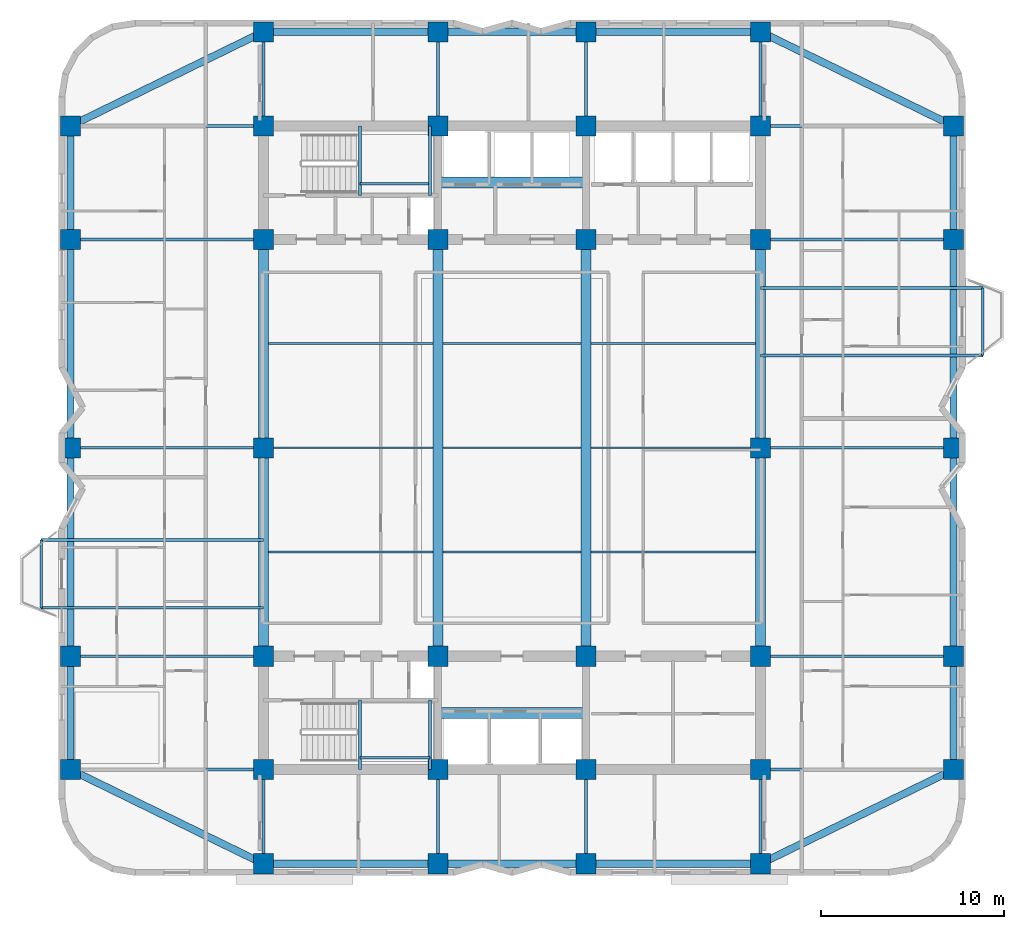
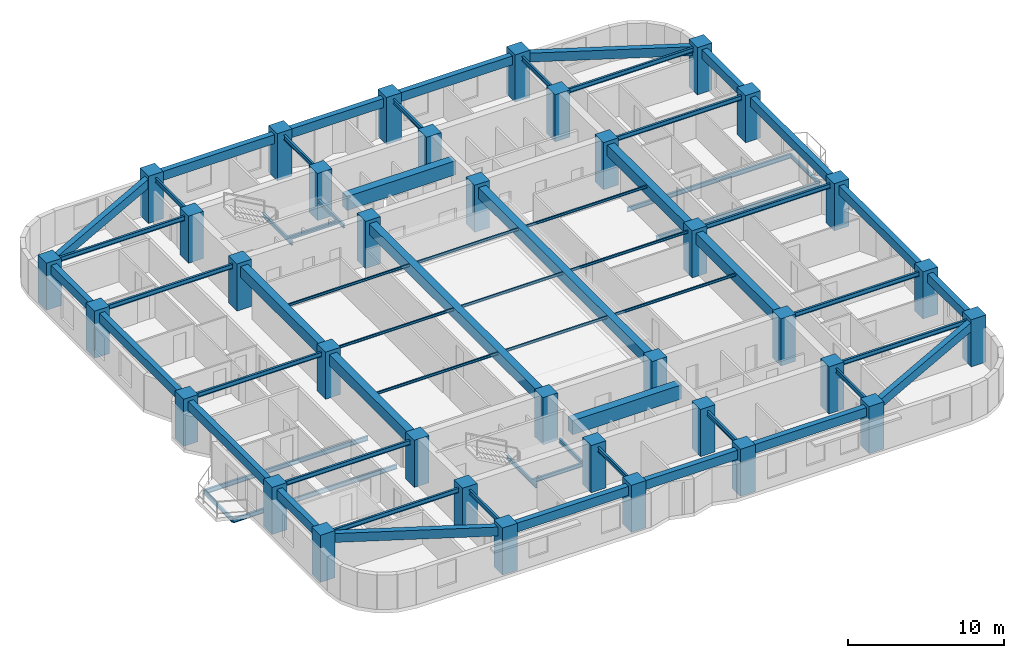
# One storey, part 1 of 10: 65 beams, 36 columns.
"""IFC4 building model written with IfcOpenShell, lengths in metres."""

from ifc_helpers import new_model, si_unit, direction, frame, origin, origin_2d, place, context, subcontext, project, spatial, rectangle, i_section, extrude, material, material_profile, profile_set, type_object, element, save


model = new_model("IFC4")

# Units and contexts
model_context = context("Model", 3, precision=1e-05, world=origin(), true_north=direction((0.0, 1.0)))
body_context = subcontext(model_context, "Body", "Model", "MODEL_VIEW")
ifc_project = project(units=[si_unit("LENGTHUNIT", "METRE"), si_unit("AREAUNIT", "SQUARE_METRE"), si_unit("VOLUMEUNIT", "CUBIC_METRE"), si_unit("PLANEANGLEUNIT", "RADIAN"), si_unit("MASSUNIT", "GRAM", prefix="KILO")], contexts=[model_context])

# Site, building, storey
site_placement = place(None, origin())
site = spatial("IfcSite", under=ifc_project, at=site_placement, CompositionType="ELEMENT")
building_placement = place(site_placement, origin())
building = spatial("IfcBuilding", under=site, at=building_placement, Name="Svetorya Sky Lyceum", CompositionType="ELEMENT")
storey_placement = place(building_placement, frame((0.0, 0.0, 129.0)))
storey = spatial("IfcBuildingStorey", under=building, at=storey_placement, Name="L32", CompositionType="ELEMENT", Elevation=129.0)

# Columns
ifc_material_1 = material(Name="Concrete C50/60", Category="concrete")
ifc_material_profile_1 = material_profile(ifc_material_1, rectangle(XDim=1.10009765625, YDim=1.10009765625, at=origin_2d()), Name="RC COL 1100x1100")
ifc_profile_set_1 = profile_set([ifc_material_profile_1], Name="Concrete C50/60")
column_type = type_object("IfcColumnType", Name="COL-RC-1100", PredefinedType="COLUMN", material=ifc_profile_set_1)
for number, where, z_axis, x_axis, name in (
    (1, (25.60009765625, 10.60009765625, 0.0), (0.0, 0.0, 1.0), (1.0, 0.0, 0.0), "L32 Core Column CS-11"),
    (2, (25.60009765625, 16.800048828125, 0.0), (0.0, 0.0, 1.0), (1.0, 0.0, 0.0), "L32 Core Column CS-12"),
    (3, (35.14990234375, 10.60009765625, 0.0), (0.0, 0.0, 1.0), (1.0, 0.0, 0.0), "L32 Core Column CS-21"),
    (4, (35.14990234375, 16.800048828125, 0.0), (0.0, 0.0, 1.0), (1.0, 0.0, 0.0), "L32 Core Column CS-22"),
    (5, (43.25, 10.60009765625, 0.0), (0.0, 0.0, 1.0), (1.0, 0.0, 0.0), "L32 Core Column CS-31"),
    (6, (43.25, 16.800048828125, 0.0), (0.0, 0.0, 1.0), (1.0, 0.0, 0.0), "L32 Core Column CS-32"),
    (7, (52.800048828125, 10.60009765625, 0.0), (0.0, 0.0, 1.0), (1.0, 0.0, 0.0), "L32 Core Column CS-41"),
    (8, (52.800048828125, 16.800048828125, 0.0), (0.0, 0.0, 1.0), (1.0, 0.0, 0.0), "L32 Core Column CS-42"),
    (9, (25.60009765625, 39.60009765625, 0.0), (0.0, 0.0, 1.0), (1.0, 0.0, 0.0), "L32 Core Column CN-11"),
    (10, (25.60009765625, 45.800048828125, 0.0), (0.0, 0.0, 1.0), (1.0, 0.0, 0.0), "L32 Core Column CN-12"),
    (11, (35.14990234375, 39.60009765625, 0.0), (0.0, 0.0, 1.0), (1.0, 0.0, 0.0), "L32 Core Column CN-21"),
    (12, (35.14990234375, 45.800048828125, 0.0), (0.0, 0.0, 1.0), (1.0, 0.0, 0.0), "L32 Core Column CN-22"),
    (13, (43.25, 39.60009765625, 0.0), (0.0, 0.0, 1.0), (1.0, 0.0, 0.0), "L32 Core Column CN-31"),
    (14, (43.25, 45.800048828125, 0.0), (0.0, 0.0, 1.0), (1.0, 0.0, 0.0), "L32 Core Column CN-32"),
    (15, (52.800048828125, 39.60009765625, 0.0), (0.0, 0.0, 1.0), (1.0, 0.0, 0.0), "L32 Core Column CN-41"),
    (16, (52.800048828125, 45.800048828125, 0.0), (0.0, 0.0, 1.0), (1.0, 0.0, 0.0), "L32 Core Column CN-42"),
    (17, (25.60009765625, 28.199951171875, 0.0), (0.0, 0.0, 1.0), (1.0, 0.0, 0.0), "L32 Core Column CM-W"),
    (18, (52.800048828125, 28.199951171875, 0.0), (0.0, 0.0, 1.0), (1.0, 0.0, 0.0), "L32 Core Column CM-E"),
    (19, (25.60009765625, 5.449951171875, 0.0), (0.0, 0.0, 1.0), (1.0, 0.0, 0.0), "L32 Perimeter Column S1"),
    (20, (25.60009765625, 50.949951171875, 0.0), (0.0, 0.0, 1.0), (1.0, 0.0, 0.0), "L32 Perimeter Column N1"),
    (21, (35.14990234375, 5.449951171875, 0.0), (0.0, 0.0, 1.0), (1.0, 0.0, 0.0), "L32 Perimeter Column S2"),
    (22, (35.14990234375, 50.949951171875, 0.0), (0.0, 0.0, 1.0), (1.0, 0.0, 0.0), "L32 Perimeter Column N2"),
    (23, (43.25, 5.449951171875, 0.0), (0.0, 0.0, 1.0), (1.0, 0.0, 0.0), "L32 Perimeter Column S3"),
    (24, (43.25, 50.949951171875, 0.0), (0.0, 0.0, 1.0), (1.0, 0.0, 0.0), "L32 Perimeter Column N3"),
    (25, (52.800048828125, 5.449951171875, 0.0), (0.0, 0.0, 1.0), (1.0, 0.0, 0.0), "L32 Perimeter Column S4"),
    (26, (52.800048828125, 50.949951171875, 0.0), (0.0, 0.0, 1.0), (1.0, 0.0, 0.0), "L32 Perimeter Column N4"),
    (27, (15.050048828125, 10.60009765625, 0.0), (0.0, 0.0, 1.0), (1.0, 0.0, 0.0), "L32 Perimeter Column W1"),
    (28, (63.35009765625, 10.60009765625, 0.0), (0.0, 0.0, 1.0), (1.0, 0.0, 0.0), "L32 Perimeter Column E1"),
    (29, (15.050048828125, 16.800048828125, 0.0), (0.0, 0.0, 1.0), (1.0, 0.0, 0.0), "L32 Perimeter Column W2"),
    (30, (63.35009765625, 16.800048828125, 0.0), (0.0, 0.0, 1.0), (1.0, 0.0, 0.0), "L32 Perimeter Column E2"),
    (31, (15.050048828125, 28.199951171875, 0.0), (0.0, 0.0, 1.0), (1.0, 0.0, 0.0), "L32 Perimeter Column W3"),
    (32, (63.35009765625, 28.199951171875, 0.0), (0.0, 0.0, 1.0), (1.0, 0.0, 0.0), "L32 Perimeter Column E3"),
    (33, (15.050048828125, 39.60009765625, 0.0), (0.0, 0.0, 1.0), (1.0, 0.0, 0.0), "L32 Perimeter Column W4"),
    (34, (63.35009765625, 39.60009765625, 0.0), (0.0, 0.0, 1.0), (1.0, 0.0, 0.0), "L32 Perimeter Column E4"),
    (35, (15.050048828125, 45.800048828125, 0.0), (0.0, 0.0, 1.0), (1.0, 0.0, 0.0), "L32 Perimeter Column W5"),
    (36, (63.35009765625, 45.800048828125, 0.0), (0.0, 0.0, 1.0), (1.0, 0.0, 0.0), "L32 Perimeter Column E5"),
):
    element("IfcColumn", number, at=place(storey_placement, frame(where, z_axis=z_axis, x_axis=x_axis)), inside=storey, type_object=column_type, Name=name, PredefinedType="COLUMN", context=body_context, shape_type="SweptSolid", body=[
        extrude(rectangle(XDim=1.10009765625, YDim=1.10009765625, at=origin_2d()), origin(), (0.0, 0.0, 1.0), 3.699951171875),
    ])

# Beams
ifc_material_2 = material(Name="Concrete C60/75", Category="concrete")
ifc_material_profile_2 = material_profile(ifc_material_2, rectangle(XDim=0.60009765625, YDim=1.10009765625, at=origin_2d()), Name="RC COUPLING 600x1100")
ifc_profile_set_2 = profile_set([ifc_material_profile_2], Name="Concrete C60/75")
beam_type_1 = type_object("IfcBeamType", Name="BM-CPL-1100", PredefinedType="LINTEL", material=ifc_profile_set_2)
for number, where, z_axis, x_axis, name in (
    (37, (35.14990234375, 13.699951171875, 2.8701171875), (1.0, 0.0, 0.0), (0.0, 1.0, 0.0), "L32 SC Core Coupling Beam"),
    (38, (35.14990234375, 42.699951171875, 2.8701171875), (1.0, 0.0, 0.0), (0.0, 1.0, 0.0), "L32 NC Core Coupling Beam"),
):
    element("IfcBeam", number, at=place(storey_placement, frame(where, z_axis=z_axis, x_axis=x_axis)), inside=storey, type_object=beam_type_1, Name=name, PredefinedType="LINTEL", context=body_context, shape_type="SweptSolid", body=[
        extrude(rectangle(XDim=0.60009765625, YDim=1.10009765625, at=origin_2d()), origin(), (0.0, 0.0, 1.0), 8.10009765625),
    ])
ifc_material_profile_3 = material_profile(ifc_material_1, rectangle(XDim=0.550048828125, YDim=0.85009765625, at=origin_2d()), Name="RC BEAM 550x850")
ifc_profile_set_3 = profile_set([ifc_material_profile_3], Name="Concrete C50/60")
beam_type_2 = type_object("IfcBeamType", Name="BM-RC-850", PredefinedType="BEAM", material=ifc_profile_set_3)
beam_1_placement = place(storey_placement, frame((25.60009765625, 16.800048828125, 2.9951171875), z_axis=(0.0, 1.0, 0.0), x_axis=(-1.0, 0.0, 0.0)))
element("IfcBeam", 39, at=beam_1_placement, inside=storey, type_object=beam_type_2, Name="L32 Central Bay Primary Girder CG-1A", PredefinedType="BEAM", context=body_context, shape_type="SweptSolid", body=[
    extrude(rectangle(XDim=0.550048828125, YDim=0.85009765625, at=origin_2d()), origin(), (0.0, 0.0, 1.0), 11.39990234375),
])
beam_2_placement = place(storey_placement, frame((25.60009765625, 28.199951171875, 2.9951171875), z_axis=(0.0, 1.0, 0.0), x_axis=(-1.0, 0.0, 0.0)))
element("IfcBeam", 40, at=beam_2_placement, inside=storey, type_object=beam_type_2, Name="L32 Central Bay Primary Girder CG-1B", PredefinedType="BEAM", context=body_context, shape_type="SweptSolid", body=[
    extrude(rectangle(XDim=0.550048828125, YDim=0.85009765625, at=origin_2d()), origin(), (0.0, 0.0, 1.0), 11.400146484375),
])
for number, where, z_axis, x_axis, name in (
    (41, (35.14990234375, 16.800048828125, 2.9951171875), (0.0, 1.0, 0.0), (-1.0, 0.0, 0.0), "L32 Central Bay Primary Girder CG-2"),
    (42, (43.25, 16.800048828125, 2.9951171875), (0.0, 1.0, 0.0), (-1.0, 0.0, 0.0), "L32 Central Bay Primary Girder CG-3"),
):
    element("IfcBeam", number, at=place(storey_placement, frame(where, z_axis=z_axis, x_axis=x_axis)), inside=storey, type_object=beam_type_2, Name=name, PredefinedType="BEAM", context=body_context, shape_type="SweptSolid", body=[
        extrude(rectangle(XDim=0.550048828125, YDim=0.85009765625, at=origin_2d()), origin(), (0.0, 0.0, 1.0), 22.800048828125),
    ])
beam_3_placement = place(storey_placement, frame((52.800048828125, 16.800048828125, 2.9951171875), z_axis=(0.0, 1.0, 0.0), x_axis=(-1.0, 0.0, 0.0)))
element("IfcBeam", 43, at=beam_3_placement, inside=storey, type_object=beam_type_2, Name="L32 Central Bay Primary Girder CG-4A", PredefinedType="BEAM", context=body_context, shape_type="SweptSolid", body=[
    extrude(rectangle(XDim=0.550048828125, YDim=0.85009765625, at=origin_2d()), origin(), (0.0, 0.0, 1.0), 11.39990234375),
])
beam_4_placement = place(storey_placement, frame((52.800048828125, 28.199951171875, 2.9951171875), z_axis=(0.0, 1.0, 0.0), x_axis=(-1.0, 0.0, 0.0)))
element("IfcBeam", 44, at=beam_4_placement, inside=storey, type_object=beam_type_2, Name="L32 Central Bay Primary Girder CG-4B", PredefinedType="BEAM", context=body_context, shape_type="SweptSolid", body=[
    extrude(rectangle(XDim=0.550048828125, YDim=0.85009765625, at=origin_2d()), origin(), (0.0, 0.0, 1.0), 11.400146484375),
])
ifc_material_profile_4 = material_profile(ifc_material_1, rectangle(XDim=0.39990234375, YDim=0.699951171875, at=origin_2d()), Name="RC SPANDREL 400x700")
ifc_profile_set_4 = profile_set([ifc_material_profile_4], Name="Concrete C50/60")
beam_type_3 = type_object("IfcBeamType", Name="BM-SPN-700", PredefinedType="SPANDREL", material=ifc_profile_set_4)
beam_5_placement = place(storey_placement, frame((25.60009765625, 5.449951171875, 3.070068359375), z_axis=(1.0, 0.0, 0.0), x_axis=(0.0, 1.0, 0.0)))
element("IfcBeam", 45, at=beam_5_placement, inside=storey, type_object=beam_type_3, Name="L32 South Spandrel 1", PredefinedType="SPANDREL", context=body_context, shape_type="SweptSolid", body=[
    extrude(rectangle(XDim=0.39990234375, YDim=0.699951171875, at=origin_2d()), origin(), (0.0, 0.0, 1.0), 9.5498046875),
])
beam_6_placement = place(storey_placement, frame((35.14990234375, 5.449951171875, 3.070068359375), z_axis=(1.0, 0.0, 0.0), x_axis=(0.0, 1.0, 0.0)))
element("IfcBeam", 46, at=beam_6_placement, inside=storey, type_object=beam_type_3, Name="L32 South Spandrel 2", PredefinedType="SPANDREL", context=body_context, shape_type="SweptSolid", body=[
    extrude(rectangle(XDim=0.39990234375, YDim=0.699951171875, at=origin_2d()), origin(), (0.0, 0.0, 1.0), 8.10009765625),
])
beam_7_placement = place(storey_placement, frame((43.25, 5.449951171875, 3.070068359375), z_axis=(1.0, 0.0, 0.0), x_axis=(0.0, 1.0, 0.0)))
element("IfcBeam", 47, at=beam_7_placement, inside=storey, type_object=beam_type_3, Name="L32 South Spandrel 3", PredefinedType="SPANDREL", context=body_context, shape_type="SweptSolid", body=[
    extrude(rectangle(XDim=0.39990234375, YDim=0.699951171875, at=origin_2d()), origin(), (0.0, 0.0, 1.0), 9.550048828125),
])
beam_8_placement = place(storey_placement, frame((25.60009765625, 50.949951171875, 3.070068359375), z_axis=(1.0, 0.0, 0.0), x_axis=(0.0, 1.0, 0.0)))
element("IfcBeam", 48, at=beam_8_placement, inside=storey, type_object=beam_type_3, Name="L32 North Spandrel 1", PredefinedType="SPANDREL", context=body_context, shape_type="SweptSolid", body=[
    extrude(rectangle(XDim=0.39990234375, YDim=0.699951171875, at=origin_2d()), origin(), (0.0, 0.0, 1.0), 9.5498046875),
])
beam_9_placement = place(storey_placement, frame((35.14990234375, 50.949951171875, 3.070068359375), z_axis=(1.0, 0.0, 0.0), x_axis=(0.0, 1.0, 0.0)))
element("IfcBeam", 49, at=beam_9_placement, inside=storey, type_object=beam_type_3, Name="L32 North Spandrel 2", PredefinedType="SPANDREL", context=body_context, shape_type="SweptSolid", body=[
    extrude(rectangle(XDim=0.39990234375, YDim=0.699951171875, at=origin_2d()), origin(), (0.0, 0.0, 1.0), 8.10009765625),
])
beam_10_placement = place(storey_placement, frame((43.25, 50.949951171875, 3.070068359375), z_axis=(1.0, 0.0, 0.0), x_axis=(0.0, 1.0, 0.0)))
element("IfcBeam", 50, at=beam_10_placement, inside=storey, type_object=beam_type_3, Name="L32 North Spandrel 3", PredefinedType="SPANDREL", context=body_context, shape_type="SweptSolid", body=[
    extrude(rectangle(XDim=0.39990234375, YDim=0.699951171875, at=origin_2d()), origin(), (0.0, 0.0, 1.0), 9.550048828125),
])
for number, where, z_axis, x_axis, name in (
    (51, (25.60009765625, 5.449951171875, 3.070068359375), (-0.898641495694, 0.438683783854, 0.0), (-0.438683783854, -0.898641495694, 0.0), "L32 Corner Spandrel 1"),
    (52, (52.800048828125, 5.449951171875, 3.070068359375), (0.898641495694, 0.438683783854, 0.0), (-0.438683783854, 0.898641495694, 0.0), "L32 Corner Spandrel 2"),
    (53, (63.35009765625, 45.800048828125, 3.070068359375), (-0.898649693653, 0.438666989978, 0.0), (-0.438666989978, -0.898649693653, 0.0), "L32 Corner Spandrel 3"),
    (54, (15.050048828125, 45.800048828125, 3.070068359375), (0.898649693653, 0.438666989978, 0.0), (-0.438666989978, 0.898649693653, 0.0), "L32 Corner Spandrel 4"),
):
    element("IfcBeam", number, at=place(storey_placement, frame(where, z_axis=z_axis, x_axis=x_axis)), inside=storey, type_object=beam_type_3, Name=name, PredefinedType="SPANDREL", context=body_context, shape_type="SweptSolid", body=[
        extrude(rectangle(XDim=0.39990234375, YDim=0.699951171875, at=origin_2d()), origin(), (0.0, 0.0, 1.0), 11.739990234375),
    ])
beam_11_placement = place(storey_placement, frame((15.050048828125, 10.60009765625, 3.070068359375), z_axis=(0.0, 1.0, 0.0), x_axis=(-1.0, 0.0, 0.0)))
element("IfcBeam", 55, at=beam_11_placement, inside=storey, type_object=beam_type_3, Name="L32 West Spandrel 1", PredefinedType="SPANDREL", context=body_context, shape_type="SweptSolid", body=[
    extrude(rectangle(XDim=0.39990234375, YDim=0.699951171875, at=origin_2d()), origin(), (0.0, 0.0, 1.0), 6.199951171875),
])
beam_12_placement = place(storey_placement, frame((15.050048828125, 16.800048828125, 3.070068359375), z_axis=(0.0, 1.0, 0.0), x_axis=(-1.0, 0.0, 0.0)))
element("IfcBeam", 56, at=beam_12_placement, inside=storey, type_object=beam_type_3, Name="L32 West Spandrel 2", PredefinedType="SPANDREL", context=body_context, shape_type="SweptSolid", body=[
    extrude(rectangle(XDim=0.39990234375, YDim=0.699951171875, at=origin_2d()), origin(), (0.0, 0.0, 1.0), 11.39990234375),
])
beam_13_placement = place(storey_placement, frame((15.050048828125, 28.199951171875, 3.070068359375), z_axis=(0.0, 1.0, 0.0), x_axis=(-1.0, 0.0, 0.0)))
element("IfcBeam", 57, at=beam_13_placement, inside=storey, type_object=beam_type_3, Name="L32 West Spandrel 3", PredefinedType="SPANDREL", context=body_context, shape_type="SweptSolid", body=[
    extrude(rectangle(XDim=0.39990234375, YDim=0.699951171875, at=origin_2d()), origin(), (0.0, 0.0, 1.0), 11.400146484375),
])
for number, where, z_axis, x_axis, name in (
    (58, (15.050048828125, 39.60009765625, 3.070068359375), (0.0, 1.0, 0.0), (-1.0, 0.0, 0.0), "L32 West Spandrel 4"),
    (59, (63.35009765625, 10.60009765625, 3.070068359375), (0.0, 1.0, 0.0), (-1.0, 0.0, 0.0), "L32 East Spandrel 1"),
):
    element("IfcBeam", number, at=place(storey_placement, frame(where, z_axis=z_axis, x_axis=x_axis)), inside=storey, type_object=beam_type_3, Name=name, PredefinedType="SPANDREL", context=body_context, shape_type="SweptSolid", body=[
        extrude(rectangle(XDim=0.39990234375, YDim=0.699951171875, at=origin_2d()), origin(), (0.0, 0.0, 1.0), 6.199951171875),
    ])
beam_14_placement = place(storey_placement, frame((63.35009765625, 16.800048828125, 3.070068359375), z_axis=(0.0, 1.0, 0.0), x_axis=(-1.0, 0.0, 0.0)))
element("IfcBeam", 60, at=beam_14_placement, inside=storey, type_object=beam_type_3, Name="L32 East Spandrel 2", PredefinedType="SPANDREL", context=body_context, shape_type="SweptSolid", body=[
    extrude(rectangle(XDim=0.39990234375, YDim=0.699951171875, at=origin_2d()), origin(), (0.0, 0.0, 1.0), 11.39990234375),
])
beam_15_placement = place(storey_placement, frame((63.35009765625, 28.199951171875, 3.070068359375), z_axis=(0.0, 1.0, 0.0), x_axis=(-1.0, 0.0, 0.0)))
element("IfcBeam", 61, at=beam_15_placement, inside=storey, type_object=beam_type_3, Name="L32 East Spandrel 3", PredefinedType="SPANDREL", context=body_context, shape_type="SweptSolid", body=[
    extrude(rectangle(XDim=0.39990234375, YDim=0.699951171875, at=origin_2d()), origin(), (0.0, 0.0, 1.0), 11.400146484375),
])
beam_16_placement = place(storey_placement, frame((63.35009765625, 39.60009765625, 3.070068359375), z_axis=(0.0, 1.0, 0.0), x_axis=(-1.0, 0.0, 0.0)))
element("IfcBeam", 62, at=beam_16_placement, inside=storey, type_object=beam_type_3, Name="L32 East Spandrel 4", PredefinedType="SPANDREL", context=body_context, shape_type="SweptSolid", body=[
    extrude(rectangle(XDim=0.39990234375, YDim=0.699951171875, at=origin_2d()), origin(), (0.0, 0.0, 1.0), 6.199951171875),
])
ifc_material_3 = material(Name="Steel S355", Category="steel")
ifc_material_profile_5 = material_profile(ifc_material_3, i_section(OverallWidth=0.10009765625, OverallDepth=0.199951171875, WebThickness=0.005615234375, FlangeThickness=0.008544921875, at=origin_2d()), Name="GOST 20B1")
ifc_profile_set_5 = profile_set([ifc_material_profile_5], Name="Steel S355")
beam_type_4 = type_object("IfcBeamType", Name="BM-STL-20B1", PredefinedType="JOIST", material=ifc_profile_set_5)
beam_17_placement = place(storey_placement, frame((25.875, 22.5, 3.320068359375), z_axis=(1.0, 0.0, 0.0), x_axis=(0.0, 1.0, 0.0)))
element("IfcBeam", 63, at=beam_17_placement, inside=storey, type_object=beam_type_4, Name="L32 Central Floor Joist CJ-1.1", PredefinedType="JOIST", context=body_context, shape_type="SweptSolid", body=[
    extrude(i_section(OverallWidth=0.10009765625, OverallDepth=0.199951171875, WebThickness=0.005615234375, FlangeThickness=0.008544921875, at=origin_2d()), origin(), (0.0, 0.0, 1.0), 9.0),
])
beam_18_placement = place(storey_placement, frame((35.425048828125, 22.5, 3.320068359375), z_axis=(1.0, 0.0, 0.0), x_axis=(0.0, 1.0, 0.0)))
element("IfcBeam", 64, at=beam_18_placement, inside=storey, type_object=beam_type_4, Name="L32 Central Floor Joist CJ-1.2", PredefinedType="JOIST", context=body_context, shape_type="SweptSolid", body=[
    extrude(i_section(OverallWidth=0.10009765625, OverallDepth=0.199951171875, WebThickness=0.005615234375, FlangeThickness=0.008544921875, at=origin_2d()), origin(), (0.0, 0.0, 1.0), 7.550048828125),
])
for number, where, z_axis, x_axis, name in (
    (65, (43.52490234375, 22.5, 3.320068359375), (1.0, 0.0, 0.0), (0.0, 1.0, 0.0), "L32 Central Floor Joist CJ-1.3"),
    (66, (25.875, 28.199951171875, 3.320068359375), (1.0, 0.0, 0.0), (0.0, 1.0, 0.0), "L32 Central Floor Joist CJ-2.1"),
):
    element("IfcBeam", number, at=place(storey_placement, frame(where, z_axis=z_axis, x_axis=x_axis)), inside=storey, type_object=beam_type_4, Name=name, PredefinedType="JOIST", context=body_context, shape_type="SweptSolid", body=[
        extrude(i_section(OverallWidth=0.10009765625, OverallDepth=0.199951171875, WebThickness=0.005615234375, FlangeThickness=0.008544921875, at=origin_2d()), origin(), (0.0, 0.0, 1.0), 9.0),
    ])
beam_19_placement = place(storey_placement, frame((35.425048828125, 28.199951171875, 3.320068359375), z_axis=(1.0, 0.0, 0.0), x_axis=(0.0, 1.0, 0.0)))
element("IfcBeam", 67, at=beam_19_placement, inside=storey, type_object=beam_type_4, Name="L32 Central Floor Joist CJ-2.2", PredefinedType="JOIST", context=body_context, shape_type="SweptSolid", body=[
    extrude(i_section(OverallWidth=0.10009765625, OverallDepth=0.199951171875, WebThickness=0.005615234375, FlangeThickness=0.008544921875, at=origin_2d()), origin(), (0.0, 0.0, 1.0), 7.550048828125),
])
for number, where, z_axis, x_axis, name in (
    (68, (43.52490234375, 28.199951171875, 3.320068359375), (1.0, 0.0, 0.0), (0.0, 1.0, 0.0), "L32 Central Floor Joist CJ-2.3"),
    (69, (25.875, 33.89990234375, 3.320068359375), (1.0, 0.0, 0.0), (0.0, 1.0, 0.0), "L32 Central Floor Joist CJ-3.1"),
):
    element("IfcBeam", number, at=place(storey_placement, frame(where, z_axis=z_axis, x_axis=x_axis)), inside=storey, type_object=beam_type_4, Name=name, PredefinedType="JOIST", context=body_context, shape_type="SweptSolid", body=[
        extrude(i_section(OverallWidth=0.10009765625, OverallDepth=0.199951171875, WebThickness=0.005615234375, FlangeThickness=0.008544921875, at=origin_2d()), origin(), (0.0, 0.0, 1.0), 9.0),
    ])
beam_20_placement = place(storey_placement, frame((35.425048828125, 33.89990234375, 3.320068359375), z_axis=(1.0, 0.0, 0.0), x_axis=(0.0, 1.0, 0.0)))
element("IfcBeam", 70, at=beam_20_placement, inside=storey, type_object=beam_type_4, Name="L32 Central Floor Joist CJ-3.2", PredefinedType="JOIST", context=body_context, shape_type="SweptSolid", body=[
    extrude(i_section(OverallWidth=0.10009765625, OverallDepth=0.199951171875, WebThickness=0.005615234375, FlangeThickness=0.008544921875, at=origin_2d()), origin(), (0.0, 0.0, 1.0), 7.550048828125),
])
beam_21_placement = place(storey_placement, frame((43.52490234375, 33.89990234375, 3.320068359375), z_axis=(1.0, 0.0, 0.0), x_axis=(0.0, 1.0, 0.0)))
element("IfcBeam", 71, at=beam_21_placement, inside=storey, type_object=beam_type_4, Name="L32 Central Floor Joist CJ-3.3", PredefinedType="JOIST", context=body_context, shape_type="SweptSolid", body=[
    extrude(i_section(OverallWidth=0.10009765625, OverallDepth=0.199951171875, WebThickness=0.005615234375, FlangeThickness=0.008544921875, at=origin_2d()), origin(), (0.0, 0.0, 1.0), 9.0),
])
ifc_material_profile_6 = material_profile(ifc_material_3, i_section(OverallWidth=0.14990234375, OverallDepth=0.299072265625, WebThickness=0.006591796875, FlangeThickness=0.010498046875, at=origin_2d()), Name="GOST 30B2")
ifc_profile_set_6 = profile_set([ifc_material_profile_6], Name="Steel S355")
beam_type_5 = type_object("IfcBeamType", Name="BM-STL-30B2", PredefinedType="JOIST", material=ifc_profile_set_6)
for number, where, z_axis, x_axis, name in (
    (72, (13.449951171875, 19.449951171875, -0.45458984375), (0.0, 1.0, 0.0), (-1.0, 0.0, 0.0), "L32 Balcony Edge Tie BAL-W1"),
    (73, (64.949951171875, 33.25, -0.45458984375), (0.0, 1.0, 0.0), (-1.0, 0.0, 0.0), "L32 Balcony Edge Tie BAL-E1"),
):
    element("IfcBeam", number, at=place(storey_placement, frame(where, z_axis=z_axis, x_axis=x_axis)), inside=storey, type_object=beam_type_5, Name=name, PredefinedType="JOIST", context=body_context, shape_type="SweptSolid", body=[
        extrude(i_section(OverallWidth=0.14990234375, OverallDepth=0.299072265625, WebThickness=0.006591796875, FlangeThickness=0.010498046875, at=origin_2d()), origin(), (0.0, 0.0, 1.0), 3.699951171875),
    ])
for number, where, z_axis, x_axis, name in (
    (74, (30.8798828125, 10.60009765625, 1.50048828125), (0.0, 1.0, 0.0), (-1.0, 0.0, 0.0), "L32 Stair ST-S Half-Landing Support Beam 36.1"),
    (75, (34.719970703125, 10.60009765625, 1.50048828125), (0.0, 1.0, 0.0), (-1.0, 0.0, 0.0), "L32 Stair ST-S Half-Landing Support Beam 36.2"),
):
    element("IfcBeam", number, at=place(storey_placement, frame(where, z_axis=z_axis, x_axis=x_axis)), inside=storey, type_object=beam_type_5, Name=name, PredefinedType="JOIST", context=body_context, shape_type="SweptSolid", body=[
        extrude(i_section(OverallWidth=0.14990234375, OverallDepth=0.299072265625, WebThickness=0.006591796875, FlangeThickness=0.010498046875, at=origin_2d()), origin(), (0.0, 0.0, 1.0), 3.7998046875),
    ])
beam_22_placement = place(storey_placement, frame((30.8798828125, 11.25, 1.50048828125), z_axis=(1.0, 0.0, 0.0), x_axis=(0.0, 1.0, 0.0)))
element("IfcBeam", 76, at=beam_22_placement, inside=storey, type_object=beam_type_5, Name="L32 Stair ST-S Half-Landing Cross Tie 36", PredefinedType="JOIST", context=body_context, shape_type="SweptSolid", body=[
    extrude(i_section(OverallWidth=0.14990234375, OverallDepth=0.299072265625, WebThickness=0.006591796875, FlangeThickness=0.010498046875, at=origin_2d()), origin(), (0.0, 0.0, 1.0), 3.840087890625),
])
for number, where, z_axis, x_axis, name in (
    (77, (30.8798828125, 42.0, 1.50048828125), (0.0, 1.0, 0.0), (-1.0, 0.0, 0.0), "L32 Stair ST-N Half-Landing Support Beam 36.1"),
    (78, (34.719970703125, 42.0, 1.50048828125), (0.0, 1.0, 0.0), (-1.0, 0.0, 0.0), "L32 Stair ST-N Half-Landing Support Beam 36.2"),
):
    element("IfcBeam", number, at=place(storey_placement, frame(where, z_axis=z_axis, x_axis=x_axis)), inside=storey, type_object=beam_type_5, Name=name, PredefinedType="JOIST", context=body_context, shape_type="SweptSolid", body=[
        extrude(i_section(OverallWidth=0.14990234375, OverallDepth=0.299072265625, WebThickness=0.006591796875, FlangeThickness=0.010498046875, at=origin_2d()), origin(), (0.0, 0.0, 1.0), 3.800048828125),
    ])
beam_23_placement = place(storey_placement, frame((30.8798828125, 42.64990234375, 1.50048828125), z_axis=(1.0, 0.0, 0.0), x_axis=(0.0, 1.0, 0.0)))
element("IfcBeam", 79, at=beam_23_placement, inside=storey, type_object=beam_type_5, Name="L32 Stair ST-N Half-Landing Cross Tie 36", PredefinedType="JOIST", context=body_context, shape_type="SweptSolid", body=[
    extrude(i_section(OverallWidth=0.14990234375, OverallDepth=0.299072265625, WebThickness=0.006591796875, FlangeThickness=0.010498046875, at=origin_2d()), origin(), (0.0, 0.0, 1.0), 3.840087890625),
])
ifc_material_profile_7 = material_profile(ifc_material_3, i_section(OverallWidth=0.155029296875, OverallDepth=0.34912109375, WebThickness=0.007080078125, FlangeThickness=0.011474609375, at=origin_2d()), Name="GOST 35B2")
ifc_profile_set_7 = profile_set([ifc_material_profile_7], Name="Steel S355")
beam_type_6 = type_object("IfcBeamType", Name="BM-STL-35B2", PredefinedType="JOIST", material=ifc_profile_set_7)
for number, where, z_axis, x_axis, name in (
    (80, (25.60009765625, 19.449951171875, -0.45458984375), (-1.0, 0.0, 0.0), (0.0, -1.0, 0.0), "L32 Balcony Cantilever Beam BAL-W1-1"),
    (81, (25.60009765625, 23.14990234375, -0.45458984375), (-1.0, 0.0, 0.0), (0.0, -1.0, 0.0), "L32 Balcony Cantilever Beam BAL-W1-2"),
):
    element("IfcBeam", number, at=place(storey_placement, frame(where, z_axis=z_axis, x_axis=x_axis)), inside=storey, type_object=beam_type_6, Name=name, PredefinedType="JOIST", context=body_context, shape_type="SweptSolid", body=[
        extrude(i_section(OverallWidth=0.155029296875, OverallDepth=0.34912109375, WebThickness=0.007080078125, FlangeThickness=0.011474609375, at=origin_2d()), origin(), (0.0, 0.0, 1.0), 12.150146484375),
    ])
for number, where, z_axis, x_axis, name in (
    (82, (52.800048828125, 33.25, -0.45458984375), (1.0, 0.0, 0.0), (0.0, 1.0, 0.0), "L32 Balcony Cantilever Beam BAL-E1-1"),
    (83, (52.800048828125, 36.949951171875, -0.45458984375), (1.0, 0.0, 0.0), (0.0, 1.0, 0.0), "L32 Balcony Cantilever Beam BAL-E1-2"),
):
    element("IfcBeam", number, at=place(storey_placement, frame(where, z_axis=z_axis, x_axis=x_axis)), inside=storey, type_object=beam_type_6, Name=name, PredefinedType="JOIST", context=body_context, shape_type="SweptSolid", body=[
        extrude(i_section(OverallWidth=0.155029296875, OverallDepth=0.34912109375, WebThickness=0.007080078125, FlangeThickness=0.011474609375, at=origin_2d()), origin(), (0.0, 0.0, 1.0), 12.14990234375),
    ])
for number, where, z_axis, x_axis, name in (
    (84, (15.050048828125, 10.60009765625, 3.24560546875), (1.0, 0.0, 0.0), (0.0, 1.0, 0.0), "L32 West Wing Floor Joist W1"),
    (85, (52.800048828125, 10.60009765625, 3.24560546875), (1.0, 0.0, 0.0), (0.0, 1.0, 0.0), "L32 East Wing Floor Joist E1"),
    (86, (15.050048828125, 16.800048828125, 3.24560546875), (1.0, 0.0, 0.0), (0.0, 1.0, 0.0), "L32 West Wing Floor Joist W2"),
    (87, (52.800048828125, 16.800048828125, 3.24560546875), (1.0, 0.0, 0.0), (0.0, 1.0, 0.0), "L32 East Wing Floor Joist E2"),
    (88, (15.050048828125, 28.199951171875, 3.24560546875), (1.0, 0.0, 0.0), (0.0, 1.0, 0.0), "L32 West Wing Floor Joist W3"),
    (89, (52.800048828125, 28.199951171875, 3.24560546875), (1.0, 0.0, 0.0), (0.0, 1.0, 0.0), "L32 East Wing Floor Joist E3"),
    (90, (15.050048828125, 39.60009765625, 3.24560546875), (1.0, 0.0, 0.0), (0.0, 1.0, 0.0), "L32 West Wing Floor Joist W4"),
    (91, (52.800048828125, 39.60009765625, 3.24560546875), (1.0, 0.0, 0.0), (0.0, 1.0, 0.0), "L32 East Wing Floor Joist E4"),
    (92, (15.050048828125, 45.800048828125, 3.24560546875), (1.0, 0.0, 0.0), (0.0, 1.0, 0.0), "L32 West Wing Floor Joist W5"),
    (93, (52.800048828125, 45.800048828125, 3.24560546875), (1.0, 0.0, 0.0), (0.0, 1.0, 0.0), "L32 East Wing Floor Joist E5"),
):
    element("IfcBeam", number, at=place(storey_placement, frame(where, z_axis=z_axis, x_axis=x_axis)), inside=storey, type_object=beam_type_6, Name=name, PredefinedType="JOIST", context=body_context, shape_type="SweptSolid", body=[
        extrude(i_section(OverallWidth=0.155029296875, OverallDepth=0.34912109375, WebThickness=0.007080078125, FlangeThickness=0.011474609375, at=origin_2d()), origin(), (0.0, 0.0, 1.0), 10.550048828125),
    ])
beam_24_placement = place(storey_placement, frame((25.60009765625, 5.449951171875, 3.24560546875), z_axis=(0.0, 1.0, 0.0), x_axis=(-1.0, 0.0, 0.0)))
element("IfcBeam", 94, at=beam_24_placement, inside=storey, type_object=beam_type_6, Name="L32 South Bay Floor Girder S1", PredefinedType="JOIST", context=body_context, shape_type="SweptSolid", body=[
    extrude(i_section(OverallWidth=0.155029296875, OverallDepth=0.34912109375, WebThickness=0.007080078125, FlangeThickness=0.011474609375, at=origin_2d()), origin(), (0.0, 0.0, 1.0), 5.150146484375),
])
beam_25_placement = place(storey_placement, frame((25.60009765625, 45.800048828125, 3.24560546875), z_axis=(0.0, 1.0, 0.0), x_axis=(-1.0, 0.0, 0.0)))
element("IfcBeam", 95, at=beam_25_placement, inside=storey, type_object=beam_type_6, Name="L32 North Bay Floor Girder N1", PredefinedType="JOIST", context=body_context, shape_type="SweptSolid", body=[
    extrude(i_section(OverallWidth=0.155029296875, OverallDepth=0.34912109375, WebThickness=0.007080078125, FlangeThickness=0.011474609375, at=origin_2d()), origin(), (0.0, 0.0, 1.0), 5.14990234375),
])
beam_26_placement = place(storey_placement, frame((35.14990234375, 5.449951171875, 3.24560546875), z_axis=(0.0, 1.0, 0.0), x_axis=(-1.0, 0.0, 0.0)))
element("IfcBeam", 96, at=beam_26_placement, inside=storey, type_object=beam_type_6, Name="L32 South Bay Floor Girder S2", PredefinedType="JOIST", context=body_context, shape_type="SweptSolid", body=[
    extrude(i_section(OverallWidth=0.155029296875, OverallDepth=0.34912109375, WebThickness=0.007080078125, FlangeThickness=0.011474609375, at=origin_2d()), origin(), (0.0, 0.0, 1.0), 5.150146484375),
])
beam_27_placement = place(storey_placement, frame((35.14990234375, 45.800048828125, 3.24560546875), z_axis=(0.0, 1.0, 0.0), x_axis=(-1.0, 0.0, 0.0)))
element("IfcBeam", 97, at=beam_27_placement, inside=storey, type_object=beam_type_6, Name="L32 North Bay Floor Girder N2", PredefinedType="JOIST", context=body_context, shape_type="SweptSolid", body=[
    extrude(i_section(OverallWidth=0.155029296875, OverallDepth=0.34912109375, WebThickness=0.007080078125, FlangeThickness=0.011474609375, at=origin_2d()), origin(), (0.0, 0.0, 1.0), 5.14990234375),
])
beam_28_placement = place(storey_placement, frame((43.25, 5.449951171875, 3.24560546875), z_axis=(0.0, 1.0, 0.0), x_axis=(-1.0, 0.0, 0.0)))
element("IfcBeam", 98, at=beam_28_placement, inside=storey, type_object=beam_type_6, Name="L32 South Bay Floor Girder S3", PredefinedType="JOIST", context=body_context, shape_type="SweptSolid", body=[
    extrude(i_section(OverallWidth=0.155029296875, OverallDepth=0.34912109375, WebThickness=0.007080078125, FlangeThickness=0.011474609375, at=origin_2d()), origin(), (0.0, 0.0, 1.0), 5.150146484375),
])
beam_29_placement = place(storey_placement, frame((43.25, 45.800048828125, 3.24560546875), z_axis=(0.0, 1.0, 0.0), x_axis=(-1.0, 0.0, 0.0)))
element("IfcBeam", 99, at=beam_29_placement, inside=storey, type_object=beam_type_6, Name="L32 North Bay Floor Girder N3", PredefinedType="JOIST", context=body_context, shape_type="SweptSolid", body=[
    extrude(i_section(OverallWidth=0.155029296875, OverallDepth=0.34912109375, WebThickness=0.007080078125, FlangeThickness=0.011474609375, at=origin_2d()), origin(), (0.0, 0.0, 1.0), 5.14990234375),
])
beam_30_placement = place(storey_placement, frame((52.800048828125, 5.449951171875, 3.24560546875), z_axis=(0.0, 1.0, 0.0), x_axis=(-1.0, 0.0, 0.0)))
element("IfcBeam", 100, at=beam_30_placement, inside=storey, type_object=beam_type_6, Name="L32 South Bay Floor Girder S4", PredefinedType="JOIST", context=body_context, shape_type="SweptSolid", body=[
    extrude(i_section(OverallWidth=0.155029296875, OverallDepth=0.34912109375, WebThickness=0.007080078125, FlangeThickness=0.011474609375, at=origin_2d()), origin(), (0.0, 0.0, 1.0), 5.150146484375),
])
beam_31_placement = place(storey_placement, frame((52.800048828125, 45.800048828125, 3.24560546875), z_axis=(0.0, 1.0, 0.0), x_axis=(-1.0, 0.0, 0.0)))
element("IfcBeam", 101, at=beam_31_placement, inside=storey, type_object=beam_type_6, Name="L32 North Bay Floor Girder N4", PredefinedType="JOIST", context=body_context, shape_type="SweptSolid", body=[
    extrude(i_section(OverallWidth=0.155029296875, OverallDepth=0.34912109375, WebThickness=0.007080078125, FlangeThickness=0.011474609375, at=origin_2d()), origin(), (0.0, 0.0, 1.0), 5.14990234375),
])

save(model, "model.ifc")
